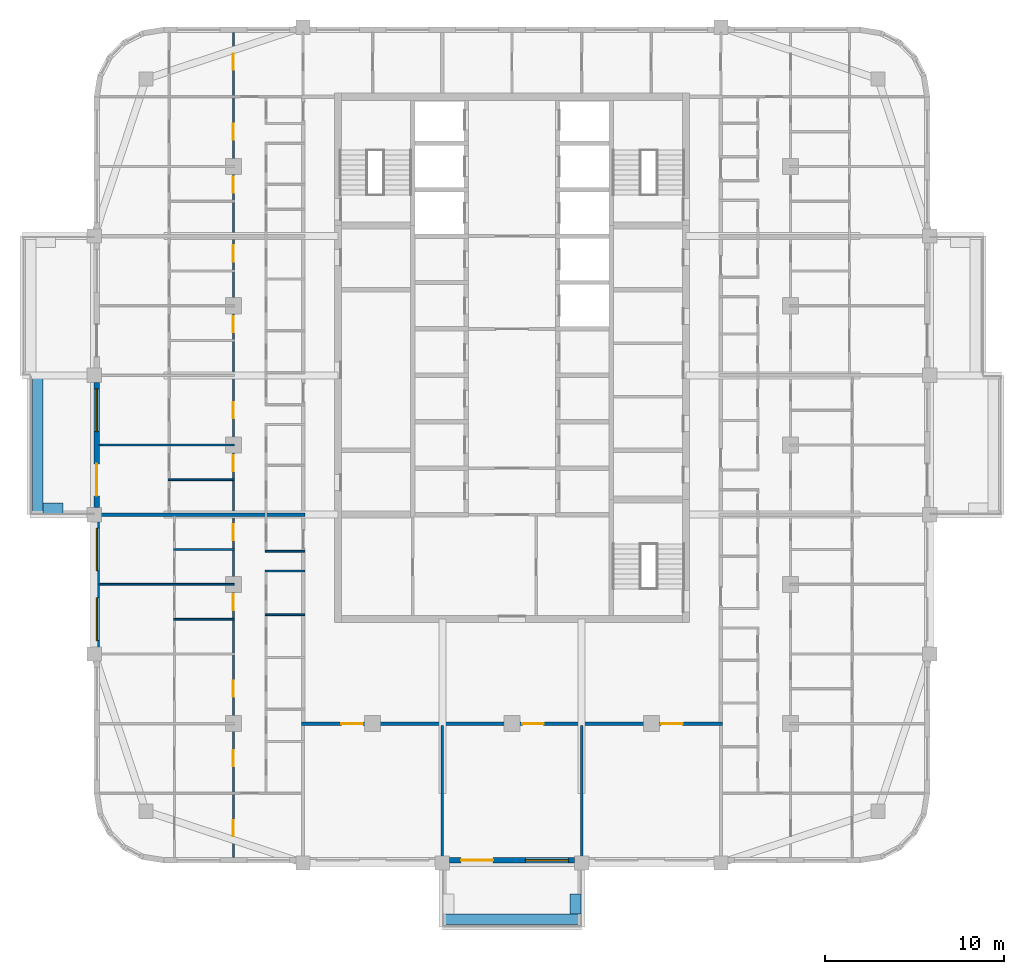
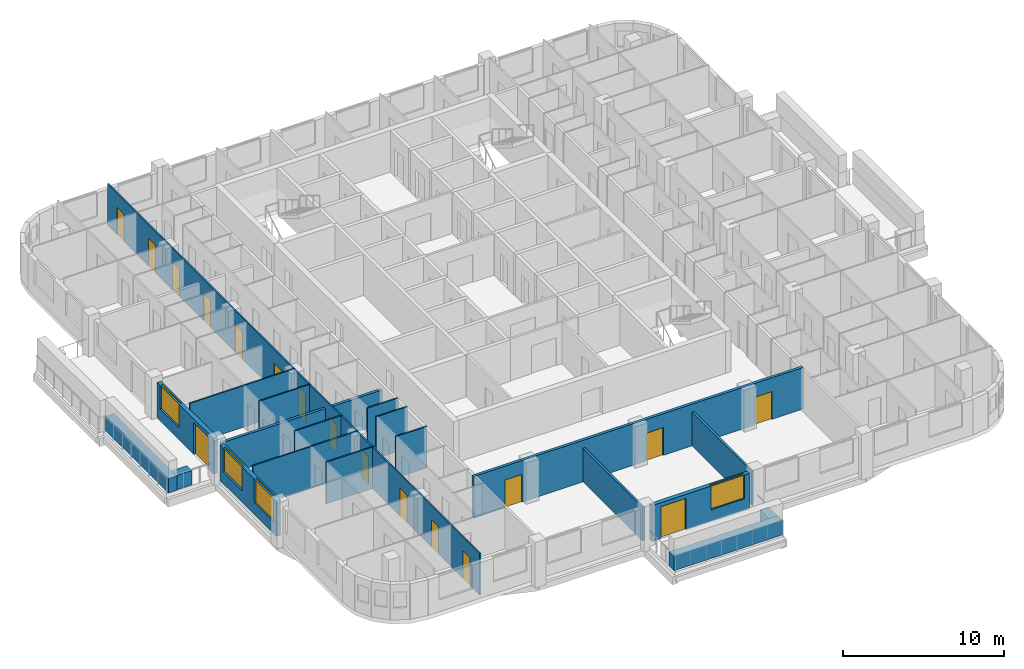
# One storey, part 3 of 15: 20 walls, 17 doors, 4 windows, 21 openings.
"""IFC4 building model written with IfcOpenShell, lengths in metres."""

from ifc_helpers import new_model, si_unit, direction, frame, frame_2d, origin, place, context, subcontext, project, spatial, rectangle, extrude, material, layer, layer_set, type_object, element, fill, save


model = new_model("IFC4")

# Units and contexts
model_context = context("Model", 3, precision=1e-05, world=origin(), true_north=direction((0.0, 1.0)))
body_context = subcontext(model_context, "Body", "Model", "MODEL_VIEW")
ifc_project = project(units=[si_unit("LENGTHUNIT", "METRE"), si_unit("AREAUNIT", "SQUARE_METRE"), si_unit("VOLUMEUNIT", "CUBIC_METRE"), si_unit("PLANEANGLEUNIT", "RADIAN"), si_unit("MASSUNIT", "GRAM", prefix="KILO")], contexts=[model_context])

# Site, building, storey
site_placement = place(None, origin())
site = spatial("IfcSite", under=ifc_project, at=site_placement, CompositionType="ELEMENT")
building_placement = place(site_placement, origin())
building = spatial("IfcBuilding", under=site, at=building_placement, Name="Ludao Terraces", CompositionType="ELEMENT")
storey_placement = place(building_placement, frame((0.0, 0.0, 197.300048828125)))
storey = spatial("IfcBuildingStorey", under=building, at=storey_placement, Name="L53", CompositionType="ELEMENT", Elevation=197.300048828125)

# Walls
ifc_material_1 = material(Name="Concrete C40", Category="concrete")
ifc_layer_1 = layer(ifc_material_1, 0.60009765625)
ifc_layer_set_1 = layer_set([ifc_layer_1], Name="ENV Planter trough 600")
wall_type_1 = type_object("IfcWallType", Name="ENV Planter trough 600", PredefinedType="USERDEFINED", material=ifc_layer_set_1)
wall_1_placement = place(storey_placement, frame((81.10009765625, 38.449951171875, 0.0), z_axis=(0.0, 0.0, 1.0), x_axis=(1.0, 0.0, 0.0)))
element("IfcWall", 1, at=wall_1_placement, inside=storey, type_object=wall_type_1, Name="PL-L53-S1", ObjectType="PLANTER", PredefinedType="USERDEFINED", context=body_context, shape_type="SweptSolid", body=[
    extrude(rectangle(XDim=7.7998046875, YDim=0.60009765625, at=frame_2d((3.89990234375, 0.0))), origin(), (0.0, 0.0, 1.0), 1.099853515625),
])
wall_2_placement = place(storey_placement, frame((88.550048828125, 38.75, 0.0), z_axis=(0.0, 0.0, 1.0), x_axis=(0.0, 1.0, 0.0)))
element("IfcWall", 2, at=wall_2_placement, inside=storey, type_object=wall_type_1, Name="PL-L53-S1-SB", ObjectType="PLANTER", PredefinedType="USERDEFINED", context=body_context, shape_type="SweptSolid", body=[
    extrude(rectangle(XDim=1.10009765625, YDim=0.60009765625, at=frame_2d((0.550048828125, 0.0))), origin(), (0.0, 0.0, 1.0), 1.099853515625),
])
wall_3_placement = place(storey_placement, frame((58.449951171875, 61.10009765625, 0.0), z_axis=(0.0, 0.0, 1.0), x_axis=(0.0, 1.0, 0.0)))
element("IfcWall", 3, at=wall_3_placement, inside=storey, type_object=wall_type_1, Name="PL-L53-W1", ObjectType="PLANTER", PredefinedType="USERDEFINED", context=body_context, shape_type="SweptSolid", body=[
    extrude(rectangle(XDim=7.7998046875, YDim=0.60009765625, at=frame_2d((3.89990234375, 0.0))), origin(), (0.0, 0.0, 1.0), 1.099853515625),
])
wall_4_placement = place(storey_placement, frame((58.75, 61.449951171875, 0.0), z_axis=(0.0, 0.0, 1.0), x_axis=(1.0, 0.0, 0.0)))
element("IfcWall", 4, at=wall_4_placement, inside=storey, type_object=wall_type_1, Name="PL-L53-W1-SA", ObjectType="PLANTER", PredefinedType="USERDEFINED", context=body_context, shape_type="SweptSolid", body=[
    extrude(rectangle(XDim=1.10009765625, YDim=0.60009765625, at=frame_2d((0.550048828125, 0.0))), origin(), (0.0, 0.0, 1.0), 1.099853515625),
])

# Wall, openings, door, window
ifc_material_2 = material(Name="Granite cladding", Category="masonry")
ifc_layer_2 = layer(ifc_material_2, 0.0400390625, Category="stone")
ifc_material_3 = material(Name="Mineral wool")
ifc_layer_3 = layer(ifc_material_3, 0.06005859375)
ifc_layer_4 = layer(ifc_material_1, 0.199951171875, Category="concrete")
ifc_layer_set_2 = layer_set([ifc_layer_2, ifc_layer_3, ifc_layer_4], Name="ENV Stone-clad wall 300")
wall_type_2 = type_object("IfcWallType", Name="ENV Stone-clad wall 300", PredefinedType="SOLIDWALL", material=ifc_layer_set_2)
wall_5_placement = place(storey_placement, frame((81.5, 41.75, 0.0), z_axis=(0.0, 0.0, 1.0), x_axis=(1.0, 0.0, 0.0)))
wall_5 = element("IfcWall", 5, at=wall_5_placement, inside=storey, type_object=wall_type_2, Name="EW-L53-S3", PredefinedType="SOLIDWALL", context=body_context, shape_type="SweptSolid", body=[
    extrude(rectangle(XDim=7.0, YDim=0.300048828125, at=frame_2d((3.5, 0.0))), origin(), (0.0, 0.0, 1.0), 2.699951171875),
])
opening_1_placement = place(wall_5_placement, frame((0.64990234375, 0.0, 0.0)))
opening_1 = element("IfcOpeningElement", 6, at=opening_1_placement, cuts=wall_5, Name="Opening BD", PredefinedType="OPENING", context=body_context, shape_type="SweptSolid", body=[
    extrude(rectangle(XDim=1.800048828125, YDim=2.39990234375, at=frame_2d((0.89990234375, 1.199951171875))), frame((0.0, 0.16015625, 0.0), z_axis=(0.0, -1.0, 0.0), x_axis=(1.0, 0.0, 0.0)), (0.0, 0.0, 1.0), 0.320068359375),
])
opening_2_placement = place(wall_5_placement, frame((4.25, 0.0, 0.89990234375)))
opening_2 = element("IfcOpeningElement", 7, at=opening_2_placement, cuts=wall_5, Name="Opening W1", PredefinedType="OPENING", context=body_context, shape_type="SweptSolid", body=[
    extrude(rectangle(XDim=2.39990234375, YDim=1.800048828125, at=frame_2d((1.199951171875, 0.89990234375))), frame((0.0, 0.16015625, 0.0), z_axis=(0.0, -1.0, 0.0), x_axis=(1.0, 0.0, 0.0)), (0.0, 0.0, 1.0), 0.320068359375),
])
ifc_material_4 = material(Name="Aluminium glazed door", Category="aluminium")
ifc_layer_5 = layer(ifc_material_4, 0.06005859375)
ifc_layer_set_3 = layer_set([ifc_layer_5], Name="ENV Balcony door BD 1800x2400")
door_type_1 = type_object("IfcDoorType", Name="ENV Balcony door BD 1800x2400", OperationType="DOUBLE_DOOR_SINGLE_SWING", PredefinedType="DOOR", material=ifc_layer_set_3)
door_1_placement = place(opening_1_placement, origin())
door_1 = element("IfcDoor", 8, at=door_1_placement, inside=storey, type_object=door_type_1, Name="BD-L53-S3-1", OperationType="DOUBLE_DOOR_SINGLE_SWING", OverallHeight=2.39990234375, OverallWidth=1.800048828125, PredefinedType="DOOR", context=body_context, shape_type="SweptSolid", body=[
    extrude(rectangle(XDim=1.800048828125, YDim=2.39990234375, at=frame_2d((0.89990234375, 1.199951171875))), frame((0.0, 0.02490234375, 0.0), z_axis=(0.0, -1.0, 0.0), x_axis=(1.0, 0.0, 0.0)), (0.0, 0.0, 1.0), 0.050048828125),
])
fill(opening_1, door_1)
ifc_material_5 = material(Name="Clear glass in aluminium frame", Category="aluminium")
ifc_layer_6 = layer(ifc_material_5, 0.06005859375)
ifc_layer_set_4 = layer_set([ifc_layer_6], Name="ENV Window W1 2400x1800")
window_type = type_object("IfcWindowType", Name="ENV Window W1 2400x1800", PartitioningType="DOUBLE_PANEL_VERTICAL", PredefinedType="WINDOW", material=ifc_layer_set_4)
window_1_placement = place(opening_2_placement, origin())
window_1 = element("IfcWindow", 9, at=window_1_placement, inside=storey, type_object=window_type, Name="W-L53-S3-2", OverallHeight=1.800048828125, OverallWidth=2.39990234375, PartitioningType="DOUBLE_PANEL_VERTICAL", PredefinedType="WINDOW", context=body_context, shape_type="SweptSolid", body=[
    extrude(rectangle(XDim=2.39990234375, YDim=1.800048828125, at=frame_2d((1.199951171875, 0.89990234375))), frame((0.0, 0.030029296875, 0.0), z_axis=(0.0, -1.0, 0.0), x_axis=(1.0, 0.0, 0.0)), (0.0, 0.0, 1.0), 0.06005859375),
])
fill(opening_2, window_1)

# Wall, openings, windows
wall_6_placement = place(storey_placement, frame((61.75, 53.699951171875, 0.0), z_axis=(0.0, 0.0, 1.0), x_axis=(0.0, 1.0, 0.0)))
wall_6 = element("IfcWall", 10, at=wall_6_placement, inside=storey, type_object=wall_type_2, Name="EW-L53-W2", PredefinedType="SOLIDWALL", context=body_context, shape_type="SweptSolid", body=[
    extrude(rectangle(XDim=7.0, YDim=0.300048828125, at=frame_2d((3.5, 0.0))), origin(), (0.0, 0.0, 1.0), 2.699951171875),
])
opening_3_placement = place(wall_6_placement, frame((0.35009765625, 0.0, 0.89990234375)))
opening_3 = element("IfcOpeningElement", 11, at=opening_3_placement, cuts=wall_6, Name="Opening W1", PredefinedType="OPENING", context=body_context, shape_type="SweptSolid", body=[
    extrude(rectangle(XDim=2.39990234375, YDim=1.800048828125, at=frame_2d((1.199951171875, 0.89990234375))), frame((0.0, 0.16015625, 0.0), z_axis=(0.0, -1.0, 0.0), x_axis=(1.0, 0.0, 0.0)), (0.0, 0.0, 1.0), 0.320068359375),
])
opening_4_placement = place(wall_6_placement, frame((4.25, 0.0, 0.89990234375)))
opening_4 = element("IfcOpeningElement", 12, at=opening_4_placement, cuts=wall_6, Name="Opening W1", PredefinedType="OPENING", context=body_context, shape_type="SweptSolid", body=[
    extrude(rectangle(XDim=2.39990234375, YDim=1.800048828125, at=frame_2d((1.199951171875, 0.89990234375))), frame((0.0, 0.16015625, 0.0), z_axis=(0.0, -1.0, 0.0), x_axis=(1.0, 0.0, 0.0)), (0.0, 0.0, 1.0), 0.320068359375),
])
window_2_placement = place(opening_3_placement, origin())
window_2 = element("IfcWindow", 13, at=window_2_placement, inside=storey, type_object=window_type, Name="W-L53-W2-1", OverallHeight=1.800048828125, OverallWidth=2.39990234375, PartitioningType="DOUBLE_PANEL_VERTICAL", PredefinedType="WINDOW", context=body_context, shape_type="SweptSolid", body=[
    extrude(rectangle(XDim=2.39990234375, YDim=1.800048828125, at=frame_2d((1.199951171875, 0.89990234375))), frame((0.0, 0.030029296875, 0.0), z_axis=(0.0, -1.0, 0.0), x_axis=(1.0, 0.0, 0.0)), (0.0, 0.0, 1.0), 0.06005859375),
])
fill(opening_3, window_2)
window_3_placement = place(opening_4_placement, origin())
window_3 = element("IfcWindow", 14, at=window_3_placement, inside=storey, type_object=window_type, Name="W-L53-W2-2", OverallHeight=1.800048828125, OverallWidth=2.39990234375, PartitioningType="DOUBLE_PANEL_VERTICAL", PredefinedType="WINDOW", context=body_context, shape_type="SweptSolid", body=[
    extrude(rectangle(XDim=2.39990234375, YDim=1.800048828125, at=frame_2d((1.199951171875, 0.89990234375))), frame((0.0, 0.030029296875, 0.0), z_axis=(0.0, -1.0, 0.0), x_axis=(1.0, 0.0, 0.0)), (0.0, 0.0, 1.0), 0.06005859375),
])
fill(opening_4, window_3)

# Wall, openings, door, window
wall_7_placement = place(storey_placement, frame((61.75, 61.5, 0.0), z_axis=(0.0, 0.0, 1.0), x_axis=(0.0, 1.0, 0.0)))
wall_7 = element("IfcWall", 15, at=wall_7_placement, inside=storey, type_object=wall_type_2, Name="EW-L53-W3", PredefinedType="SOLIDWALL", context=body_context, shape_type="SweptSolid", body=[
    extrude(rectangle(XDim=7.0, YDim=0.300048828125, at=frame_2d((3.5, 0.0))), origin(), (0.0, 0.0, 1.0), 2.699951171875),
])
opening_5_placement = place(wall_7_placement, frame((0.64990234375, 0.0, 0.0)))
opening_5 = element("IfcOpeningElement", 16, at=opening_5_placement, cuts=wall_7, Name="Opening BD", PredefinedType="OPENING", context=body_context, shape_type="SweptSolid", body=[
    extrude(rectangle(XDim=1.800048828125, YDim=2.39990234375, at=frame_2d((0.89990234375, 1.199951171875))), frame((0.0, 0.16015625, 0.0), z_axis=(0.0, -1.0, 0.0), x_axis=(1.0, 0.0, 0.0)), (0.0, 0.0, 1.0), 0.320068359375),
])
opening_6_placement = place(wall_7_placement, frame((4.25, 0.0, 0.89990234375)))
opening_6 = element("IfcOpeningElement", 17, at=opening_6_placement, cuts=wall_7, Name="Opening W1", PredefinedType="OPENING", context=body_context, shape_type="SweptSolid", body=[
    extrude(rectangle(XDim=2.39990234375, YDim=1.800048828125, at=frame_2d((1.199951171875, 0.89990234375))), frame((0.0, 0.16015625, 0.0), z_axis=(0.0, -1.0, 0.0), x_axis=(1.0, 0.0, 0.0)), (0.0, 0.0, 1.0), 0.320068359375),
])
door_2_placement = place(opening_5_placement, origin())
door_2 = element("IfcDoor", 18, at=door_2_placement, inside=storey, type_object=door_type_1, Name="BD-L53-W3-1", OperationType="DOUBLE_DOOR_SINGLE_SWING", OverallHeight=2.39990234375, OverallWidth=1.800048828125, PredefinedType="DOOR", context=body_context, shape_type="SweptSolid", body=[
    extrude(rectangle(XDim=1.800048828125, YDim=2.39990234375, at=frame_2d((0.89990234375, 1.199951171875))), frame((0.0, 0.02490234375, 0.0), z_axis=(0.0, -1.0, 0.0), x_axis=(1.0, 0.0, 0.0)), (0.0, 0.0, 1.0), 0.050048828125),
])
fill(opening_5, door_2)
window_4_placement = place(opening_6_placement, origin())
window_4 = element("IfcWindow", 19, at=window_4_placement, inside=storey, type_object=window_type, Name="W-L53-W3-2", OverallHeight=1.800048828125, OverallWidth=2.39990234375, PartitioningType="DOUBLE_PANEL_VERTICAL", PredefinedType="WINDOW", context=body_context, shape_type="SweptSolid", body=[
    extrude(rectangle(XDim=2.39990234375, YDim=1.800048828125, at=frame_2d((1.199951171875, 0.89990234375))), frame((0.0, 0.030029296875, 0.0), z_axis=(0.0, -1.0, 0.0), x_axis=(1.0, 0.0, 0.0)), (0.0, 0.0, 1.0), 0.06005859375),
])
fill(opening_6, window_4)

# Wall, openings, doors
ifc_material_6 = material(Name="Autoclaved aerated concrete block B06 A3.5", Category="concrete")
ifc_layer_7 = layer(ifc_material_6, 0.199951171875)
ifc_layer_set_5 = layer_set([ifc_layer_7], Name="INT Entrance wall 200")
wall_type_3 = type_object("IfcWallType", Name="INT Entrance wall 200", PredefinedType="PARTITIONING", material=ifc_layer_set_5)
wall_8_placement = place(storey_placement, frame((73.2001953125, 49.39990234375, 0.0), z_axis=(0.0, 0.0, 1.0), x_axis=(1.0, 0.0, 0.0)))
wall_8 = element("IfcWall", 20, at=wall_8_placement, inside=storey, type_object=wall_type_3, Name="PW-L53-PW005", PredefinedType="PARTITIONING", context=body_context, shape_type="SweptSolid", body=[
    extrude(rectangle(XDim=23.599853515625, YDim=0.199951171875, at=frame_2d((11.7998046875, 0.0))), origin(), (0.0, 0.0, 1.0), 3.14990234375),
])
opening_7_placement = place(wall_8_placement, frame((2.25, 0.0, 0.0)))
opening_7 = element("IfcOpeningElement", 21, at=opening_7_placement, cuts=wall_8, Name="Opening R19-015", PredefinedType="OPENING", context=body_context, shape_type="SweptSolid", body=[
    extrude(rectangle(XDim=1.199951171875, YDim=2.10009765625, at=frame_2d((0.60009765625, 1.050048828125))), frame((0.0, 0.10986328125, 0.0), z_axis=(0.0, -1.0, 0.0), x_axis=(1.0, 0.0, 0.0)), (0.0, 0.0, 1.0), 0.219970703125),
])
opening_8_placement = place(wall_8_placement, frame((12.375, 0.0, 0.0)))
opening_8 = element("IfcOpeningElement", 22, at=opening_8_placement, cuts=wall_8, Name="Opening R19-016", PredefinedType="OPENING", context=body_context, shape_type="SweptSolid", body=[
    extrude(rectangle(XDim=1.199951171875, YDim=2.10009765625, at=frame_2d((0.60009765625, 1.050048828125))), frame((0.0, 0.10986328125, 0.0), z_axis=(0.0, -1.0, 0.0), x_axis=(1.0, 0.0, 0.0)), (0.0, 0.0, 1.0), 0.219970703125),
])
opening_9_placement = place(wall_8_placement, frame((20.14990234375, 0.0, 0.0)))
opening_9 = element("IfcOpeningElement", 23, at=opening_9_placement, cuts=wall_8, Name="Opening R19-017", PredefinedType="OPENING", context=body_context, shape_type="SweptSolid", body=[
    extrude(rectangle(XDim=1.199951171875, YDim=2.10009765625, at=frame_2d((0.60009765625, 1.050048828125))), frame((0.0, 0.10986328125, 0.0), z_axis=(0.0, -1.0, 0.0), x_axis=(1.0, 0.0, 0.0)), (0.0, 0.0, 1.0), 0.219970703125),
])
ifc_material_7 = material(Name="Timber door leaf", Category="wood")
door_type_2 = type_object("IfcDoorType", Name="INT Double door 1200", OperationType="DOUBLE_DOOR_SINGLE_SWING", PredefinedType="DOOR", material=ifc_material_7)
door_3_placement = place(opening_7_placement, origin())
door_3 = element("IfcDoor", 24, at=door_3_placement, inside=storey, type_object=door_type_2, Name="DOOR 015", OperationType="DOUBLE_DOOR_SINGLE_SWING", OverallHeight=2.10009765625, OverallWidth=1.199951171875, PredefinedType="DOOR", context=body_context, shape_type="SweptSolid", body=[
    extrude(rectangle(XDim=1.199951171875, YDim=2.10009765625, at=frame_2d((0.60009765625, 1.050048828125))), frame((0.0, 0.02490234375, 0.0), z_axis=(0.0, -1.0, 0.0), x_axis=(1.0, 0.0, 0.0)), (0.0, 0.0, 1.0), 0.050048828125),
])
fill(opening_7, door_3)
door_4_placement = place(opening_8_placement, origin())
door_4 = element("IfcDoor", 25, at=door_4_placement, inside=storey, type_object=door_type_2, Name="DOOR 016", OperationType="DOUBLE_DOOR_SINGLE_SWING", OverallHeight=2.10009765625, OverallWidth=1.199951171875, PredefinedType="DOOR", context=body_context, shape_type="SweptSolid", body=[
    extrude(rectangle(XDim=1.199951171875, YDim=2.10009765625, at=frame_2d((0.60009765625, 1.050048828125))), frame((0.0, 0.02490234375, 0.0), z_axis=(0.0, -1.0, 0.0), x_axis=(1.0, 0.0, 0.0)), (0.0, 0.0, 1.0), 0.050048828125),
])
fill(opening_8, door_4)
door_5_placement = place(opening_9_placement, origin())
door_5 = element("IfcDoor", 26, at=door_5_placement, inside=storey, type_object=door_type_2, Name="DOOR 017", OperationType="DOUBLE_DOOR_SINGLE_SWING", OverallHeight=2.10009765625, OverallWidth=1.199951171875, PredefinedType="DOOR", context=body_context, shape_type="SweptSolid", body=[
    extrude(rectangle(XDim=1.199951171875, YDim=2.10009765625, at=frame_2d((0.60009765625, 1.050048828125))), frame((0.0, 0.02490234375, 0.0), z_axis=(0.0, -1.0, 0.0), x_axis=(1.0, 0.0, 0.0)), (0.0, 0.0, 1.0), 0.050048828125),
])
fill(opening_9, door_5)

# Walls
ifc_material_8 = material(Name="Gypsum plasterboard", Category="gypsum")
ifc_layer_8 = layer(ifc_material_8, 0.012451171875, Category="gypsum")
ifc_layer_9 = layer(ifc_material_3, 0.06005859375, Name="insulation")
ifc_material_9 = material(Name="Steel Q235", Category="steel")
ifc_layer_10 = layer(ifc_material_9, 0.014892578125, Name="stud")
ifc_layer_11 = layer(ifc_material_8, 0.012451171875, Category="gypsum")
ifc_layer_set_6 = layer_set([ifc_layer_8, ifc_layer_9, ifc_layer_10, ifc_layer_11], Name="INT Partition 100")
wall_type_4 = type_object("IfcWallType", Name="INT Partition 100", PredefinedType="PARTITIONING", material=ifc_layer_set_6)
wall_9_placement = place(storey_placement, frame((66.050048828125, 55.25, 0.0), z_axis=(0.0, 0.0, 1.0), x_axis=(1.0, 0.0, 0.0)))
element("IfcWall", 27, at=wall_9_placement, inside=storey, type_object=wall_type_4, Name="PW-L53-PW015", PredefinedType="PARTITIONING", context=body_context, shape_type="SweptSolid", body=[
    extrude(rectangle(XDim=3.400146484375, YDim=0.10009765625, at=frame_2d((1.7001953125, 0.0))), origin(), (0.0, 0.0, 1.0), 3.14990234375),
])
wall_10_placement = place(storey_placement, frame((71.18017578125, 55.5, 0.0), z_axis=(0.0, 0.0, 1.0), x_axis=(1.0, 0.0, 0.0)))
element("IfcWall", 28, at=wall_10_placement, inside=storey, type_object=wall_type_4, Name="PW-L53-PW016", PredefinedType="PARTITIONING", context=body_context, shape_type="SweptSolid", body=[
    extrude(rectangle(XDim=2.219970703125, YDim=0.10009765625, at=frame_2d((1.10986328125, 0.0))), origin(), (0.0, 0.0, 1.0), 3.14990234375),
])
wall_11_placement = place(storey_placement, frame((61.900146484375, 57.199951171875, 0.0), z_axis=(0.0, 0.0, 1.0), x_axis=(1.0, 0.0, 0.0)))
element("IfcWall", 29, at=wall_11_placement, inside=storey, type_object=wall_type_4, Name="PW-L53-PW018", PredefinedType="PARTITIONING", context=body_context, shape_type="SweptSolid", body=[
    extrude(rectangle(XDim=7.550048828125, YDim=0.10009765625, at=frame_2d((3.77490234375, 0.0))), origin(), (0.0, 0.0, 1.0), 3.14990234375),
])
for number, where, z_axis, x_axis, name in (
    (30, (71.18017578125, 57.949951171875, 0.0), (0.0, 0.0, 1.0), (1.0, 0.0, 0.0), "PW-L53-PW020"),
    (31, (71.18017578125, 59.050048828125, 0.0), (0.0, 0.0, 1.0), (1.0, 0.0, 0.0), "PW-L53-PW022"),
):
    element("IfcWall", number, at=place(storey_placement, frame(where, z_axis=z_axis, x_axis=x_axis)), inside=storey, type_object=wall_type_4, Name=name, PredefinedType="PARTITIONING", context=body_context, shape_type="SweptSolid", body=[
        extrude(rectangle(XDim=2.219970703125, YDim=0.10009765625, at=frame_2d((1.10986328125, 0.0))), origin(), (0.0, 0.0, 1.0), 3.14990234375),
    ])
wall_12_placement = place(storey_placement, frame((66.050048828125, 59.14990234375, 0.0), z_axis=(0.0, 0.0, 1.0), x_axis=(1.0, 0.0, 0.0)))
element("IfcWall", 32, at=wall_12_placement, inside=storey, type_object=wall_type_4, Name="PW-L53-PW023", PredefinedType="PARTITIONING", context=body_context, shape_type="SweptSolid", body=[
    extrude(rectangle(XDim=3.400146484375, YDim=0.10009765625, at=frame_2d((1.7001953125, 0.0))), origin(), (0.0, 0.0, 1.0), 3.14990234375),
])
wall_13_placement = place(storey_placement, frame((65.75, 63.050048828125, 0.0), z_axis=(0.0, 0.0, 1.0), x_axis=(1.0, 0.0, 0.0)))
element("IfcWall", 33, at=wall_13_placement, inside=storey, type_object=wall_type_4, Name="PW-L53-PW029", PredefinedType="PARTITIONING", context=body_context, shape_type="SweptSolid", body=[
    extrude(rectangle(XDim=3.7001953125, YDim=0.10009765625, at=frame_2d((1.85009765625, 0.0))), origin(), (0.0, 0.0, 1.0), 3.14990234375),
])
wall_14_placement = place(storey_placement, frame((61.900146484375, 65.0, 0.0), z_axis=(0.0, 0.0, 1.0), x_axis=(1.0, 0.0, 0.0)))
element("IfcWall", 34, at=wall_14_placement, inside=storey, type_object=wall_type_4, Name="PW-L53-PW033", PredefinedType="PARTITIONING", context=body_context, shape_type="SweptSolid", body=[
    extrude(rectangle(XDim=7.550048828125, YDim=0.10009765625, at=frame_2d((3.77490234375, 0.0))), origin(), (0.0, 0.0, 1.0), 3.14990234375),
])

# Wall, openings, doors
wall_15_placement = place(storey_placement, frame((69.39990234375, 41.900146484375, 0.0), z_axis=(0.0, 0.0, 1.0), x_axis=(0.0, 1.0, 0.0)))
wall_15 = element("IfcWall", 35, at=wall_15_placement, inside=storey, type_object=wall_type_4, Name="PW-L53-PW077", PredefinedType="PARTITIONING", context=body_context, shape_type="SweptSolid", body=[
    extrude(rectangle(XDim=46.199951171875, YDim=0.10009765625, at=frame_2d((23.10009765625, 0.0))), origin(), (0.0, 0.0, 1.0), 3.14990234375),
])
opening_10_placement = place(wall_15_placement, frame((1.199951171875, 0.0, 0.0)))
opening_10 = element("IfcOpeningElement", 36, at=opening_10_placement, cuts=wall_15, Name="Opening R19-002", PredefinedType="OPENING", context=body_context, shape_type="SweptSolid", body=[
    extrude(rectangle(XDim=0.89990234375, YDim=2.10009765625, at=frame_2d((0.449951171875, 1.050048828125))), frame((0.0, 0.06005859375, 0.0), z_axis=(0.0, -1.0, 0.0), x_axis=(1.0, 0.0, 0.0)), (0.0, 0.0, 1.0), 0.1201171875),
])
opening_11_placement = place(wall_15_placement, frame((5.10009765625, 0.0, 0.0)))
opening_11 = element("IfcOpeningElement", 37, at=opening_11_placement, cuts=wall_15, Name="Opening R19-010", PredefinedType="OPENING", context=body_context, shape_type="SweptSolid", body=[
    extrude(rectangle(XDim=0.89990234375, YDim=2.10009765625, at=frame_2d((0.449951171875, 1.050048828125))), frame((0.0, 0.06005859375, 0.0), z_axis=(0.0, -1.0, 0.0), x_axis=(1.0, 0.0, 0.0)), (0.0, 0.0, 1.0), 0.1201171875),
])
opening_12_placement = place(wall_15_placement, frame((9.0, 0.0, 0.0)))
opening_12 = element("IfcOpeningElement", 38, at=opening_12_placement, cuts=wall_15, Name="Opening R19-020", PredefinedType="OPENING", context=body_context, shape_type="SweptSolid", body=[
    extrude(rectangle(XDim=0.89990234375, YDim=2.10009765625, at=frame_2d((0.449951171875, 1.050048828125))), frame((0.0, 0.06005859375, 0.0), z_axis=(0.0, -1.0, 0.0), x_axis=(1.0, 0.0, 0.0)), (0.0, 0.0, 1.0), 0.1201171875),
])
opening_13_placement = place(wall_15_placement, frame((13.85009765625, 0.0, 0.0)))
opening_13 = element("IfcOpeningElement", 39, at=opening_13_placement, cuts=wall_15, Name="Opening R19-031", PredefinedType="OPENING", context=body_context, shape_type="SweptSolid", body=[
    extrude(rectangle(XDim=0.89990234375, YDim=2.10009765625, at=frame_2d((0.449951171875, 1.050048828125))), frame((0.0, 0.06005859375, 0.0), z_axis=(0.0, -1.0, 0.0), x_axis=(1.0, 0.0, 0.0)), (0.0, 0.0, 1.0), 0.1201171875),
])
opening_14_placement = place(wall_15_placement, frame((17.77490234375, 0.0, 0.0)))
opening_14 = element("IfcOpeningElement", 40, at=opening_14_placement, cuts=wall_15, Name="Opening R19-045", PredefinedType="OPENING", context=body_context, shape_type="SweptSolid", body=[
    extrude(rectangle(XDim=0.89990234375, YDim=2.10009765625, at=frame_2d((0.449951171875, 1.050048828125))), frame((0.0, 0.06005859375, 0.0), z_axis=(0.0, -1.0, 0.0), x_axis=(1.0, 0.0, 0.0)), (0.0, 0.0, 1.0), 0.1201171875),
])
opening_15_placement = place(wall_15_placement, frame((21.625, 0.0, 0.0)))
opening_15 = element("IfcOpeningElement", 41, at=opening_15_placement, cuts=wall_15, Name="Opening R19-059", PredefinedType="OPENING", context=body_context, shape_type="SweptSolid", body=[
    extrude(rectangle(XDim=0.89990234375, YDim=2.10009765625, at=frame_2d((0.449951171875, 1.050048828125))), frame((0.0, 0.06005859375, 0.0), z_axis=(0.0, -1.0, 0.0), x_axis=(1.0, 0.0, 0.0)), (0.0, 0.0, 1.0), 0.1201171875),
])
opening_16_placement = place(wall_15_placement, frame((24.60009765625, 0.0, 0.0)))
opening_16 = element("IfcOpeningElement", 42, at=opening_16_placement, cuts=wall_15, Name="Opening R19-069", PredefinedType="OPENING", context=body_context, shape_type="SweptSolid", body=[
    extrude(rectangle(XDim=0.89990234375, YDim=2.10009765625, at=frame_2d((0.449951171875, 1.050048828125))), frame((0.0, 0.06005859375, 0.0), z_axis=(0.0, -1.0, 0.0), x_axis=(1.0, 0.0, 0.0)), (0.0, 0.0, 1.0), 0.1201171875),
])
opening_17_placement = place(wall_15_placement, frame((29.425048828125, 0.0, 0.0)))
opening_17 = element("IfcOpeningElement", 43, at=opening_17_placement, cuts=wall_15, Name="Opening R19-087", PredefinedType="OPENING", context=body_context, shape_type="SweptSolid", body=[
    extrude(rectangle(XDim=0.89990234375, YDim=2.10009765625, at=frame_2d((0.449951171875, 1.050048828125))), frame((0.0, 0.06005859375, 0.0), z_axis=(0.0, -1.0, 0.0), x_axis=(1.0, 0.0, 0.0)), (0.0, 0.0, 1.0), 0.1201171875),
])
opening_18_placement = place(wall_15_placement, frame((33.375, 0.0, 0.0)))
opening_18 = element("IfcOpeningElement", 44, at=opening_18_placement, cuts=wall_15, Name="Opening R19-104", PredefinedType="OPENING", context=body_context, shape_type="SweptSolid", body=[
    extrude(rectangle(XDim=0.89990234375, YDim=2.10009765625, at=frame_2d((0.449951171875, 1.050048828125))), frame((0.0, 0.06005859375, 0.0), z_axis=(0.0, -1.0, 0.0), x_axis=(1.0, 0.0, 0.0)), (0.0, 0.0, 1.0), 0.1201171875),
])
opening_19_placement = place(wall_15_placement, frame((37.22509765625, 0.0, 0.0)))
opening_19 = element("IfcOpeningElement", 45, at=opening_19_placement, cuts=wall_15, Name="Opening R19-117", PredefinedType="OPENING", context=body_context, shape_type="SweptSolid", body=[
    extrude(rectangle(XDim=0.89990234375, YDim=2.10009765625, at=frame_2d((0.449951171875, 1.050048828125))), frame((0.0, 0.06005859375, 0.0), z_axis=(0.0, -1.0, 0.0), x_axis=(1.0, 0.0, 0.0)), (0.0, 0.0, 1.0), 0.1201171875),
])
opening_20_placement = place(wall_15_placement, frame((40.199951171875, 0.0, 0.0)))
opening_20 = element("IfcOpeningElement", 46, at=opening_20_placement, cuts=wall_15, Name="Opening R19-129", PredefinedType="OPENING", context=body_context, shape_type="SweptSolid", body=[
    extrude(rectangle(XDim=0.89990234375, YDim=2.10009765625, at=frame_2d((0.449951171875, 1.050048828125))), frame((0.0, 0.06005859375, 0.0), z_axis=(0.0, -1.0, 0.0), x_axis=(1.0, 0.0, 0.0)), (0.0, 0.0, 1.0), 0.1201171875),
])
opening_21_placement = place(wall_15_placement, frame((44.10009765625, 0.0, 0.0)))
opening_21 = element("IfcOpeningElement", 47, at=opening_21_placement, cuts=wall_15, Name="Opening R19-140", PredefinedType="OPENING", context=body_context, shape_type="SweptSolid", body=[
    extrude(rectangle(XDim=0.89990234375, YDim=2.10009765625, at=frame_2d((0.449951171875, 1.050048828125))), frame((0.0, 0.06005859375, 0.0), z_axis=(0.0, -1.0, 0.0), x_axis=(1.0, 0.0, 0.0)), (0.0, 0.0, 1.0), 0.1201171875),
])
door_type_3 = type_object("IfcDoorType", Name="INT Room door 900", OperationType="SINGLE_SWING_LEFT", PredefinedType="DOOR", material=ifc_material_7)
door_6_placement = place(opening_10_placement, origin())
door_6 = element("IfcDoor", 48, at=door_6_placement, inside=storey, type_object=door_type_3, Name="DOOR 002", OperationType="SINGLE_SWING_LEFT", OverallHeight=2.10009765625, OverallWidth=0.89990234375, PredefinedType="DOOR", context=body_context, shape_type="SweptSolid", body=[
    extrude(rectangle(XDim=0.89990234375, YDim=2.10009765625, at=frame_2d((0.449951171875, 1.050048828125))), frame((0.0, 0.02490234375, 0.0), z_axis=(0.0, -1.0, 0.0), x_axis=(1.0, 0.0, 0.0)), (0.0, 0.0, 1.0), 0.050048828125),
])
fill(opening_10, door_6)
door_7_placement = place(opening_11_placement, origin())
door_7 = element("IfcDoor", 49, at=door_7_placement, inside=storey, type_object=door_type_3, Name="DOOR 010", OperationType="SINGLE_SWING_RIGHT", OverallHeight=2.10009765625, OverallWidth=0.89990234375, PredefinedType="DOOR", context=body_context, shape_type="SweptSolid", body=[
    extrude(rectangle(XDim=0.89990234375, YDim=2.10009765625, at=frame_2d((0.449951171875, 1.050048828125))), frame((0.0, 0.02490234375, 0.0), z_axis=(0.0, -1.0, 0.0), x_axis=(1.0, 0.0, 0.0)), (0.0, 0.0, 1.0), 0.050048828125),
])
fill(opening_11, door_7)
door_8_placement = place(opening_12_placement, origin())
door_8 = element("IfcDoor", 50, at=door_8_placement, inside=storey, type_object=door_type_3, Name="DOOR 020", OperationType="SINGLE_SWING_LEFT", OverallHeight=2.10009765625, OverallWidth=0.89990234375, PredefinedType="DOOR", context=body_context, shape_type="SweptSolid", body=[
    extrude(rectangle(XDim=0.89990234375, YDim=2.10009765625, at=frame_2d((0.449951171875, 1.050048828125))), frame((0.0, 0.02490234375, 0.0), z_axis=(0.0, -1.0, 0.0), x_axis=(1.0, 0.0, 0.0)), (0.0, 0.0, 1.0), 0.050048828125),
])
fill(opening_12, door_8)
door_9_placement = place(opening_13_placement, origin())
door_9 = element("IfcDoor", 51, at=door_9_placement, inside=storey, type_object=door_type_3, Name="DOOR 031", OperationType="SINGLE_SWING_LEFT", OverallHeight=2.10009765625, OverallWidth=0.89990234375, PredefinedType="DOOR", context=body_context, shape_type="SweptSolid", body=[
    extrude(rectangle(XDim=0.89990234375, YDim=2.10009765625, at=frame_2d((0.449951171875, 1.050048828125))), frame((0.0, 0.02490234375, 0.0), z_axis=(0.0, -1.0, 0.0), x_axis=(1.0, 0.0, 0.0)), (0.0, 0.0, 1.0), 0.050048828125),
])
fill(opening_13, door_9)
door_10_placement = place(opening_14_placement, origin())
door_10 = element("IfcDoor", 52, at=door_10_placement, inside=storey, type_object=door_type_3, Name="DOOR 045", OperationType="SINGLE_SWING_RIGHT", OverallHeight=2.10009765625, OverallWidth=0.89990234375, PredefinedType="DOOR", context=body_context, shape_type="SweptSolid", body=[
    extrude(rectangle(XDim=0.89990234375, YDim=2.10009765625, at=frame_2d((0.449951171875, 1.050048828125))), frame((0.0, 0.02490234375, 0.0), z_axis=(0.0, -1.0, 0.0), x_axis=(1.0, 0.0, 0.0)), (0.0, 0.0, 1.0), 0.050048828125),
])
fill(opening_14, door_10)
door_11_placement = place(opening_15_placement, origin())
door_11 = element("IfcDoor", 53, at=door_11_placement, inside=storey, type_object=door_type_3, Name="DOOR 059", OperationType="SINGLE_SWING_LEFT", OverallHeight=2.10009765625, OverallWidth=0.89990234375, PredefinedType="DOOR", context=body_context, shape_type="SweptSolid", body=[
    extrude(rectangle(XDim=0.89990234375, YDim=2.10009765625, at=frame_2d((0.449951171875, 1.050048828125))), frame((0.0, 0.02490234375, 0.0), z_axis=(0.0, -1.0, 0.0), x_axis=(1.0, 0.0, 0.0)), (0.0, 0.0, 1.0), 0.050048828125),
])
fill(opening_15, door_11)
door_12_placement = place(opening_16_placement, origin())
door_12 = element("IfcDoor", 54, at=door_12_placement, inside=storey, type_object=door_type_3, Name="DOOR 069", OperationType="SINGLE_SWING_LEFT", OverallHeight=2.10009765625, OverallWidth=0.89990234375, PredefinedType="DOOR", context=body_context, shape_type="SweptSolid", body=[
    extrude(rectangle(XDim=0.89990234375, YDim=2.10009765625, at=frame_2d((0.449951171875, 1.050048828125))), frame((0.0, 0.02490234375, 0.0), z_axis=(0.0, -1.0, 0.0), x_axis=(1.0, 0.0, 0.0)), (0.0, 0.0, 1.0), 0.050048828125),
])
fill(opening_16, door_12)
door_13_placement = place(opening_17_placement, origin())
door_13 = element("IfcDoor", 55, at=door_13_placement, inside=storey, type_object=door_type_3, Name="DOOR 087", OperationType="SINGLE_SWING_LEFT", OverallHeight=2.10009765625, OverallWidth=0.89990234375, PredefinedType="DOOR", context=body_context, shape_type="SweptSolid", body=[
    extrude(rectangle(XDim=0.89990234375, YDim=2.10009765625, at=frame_2d((0.449951171875, 1.050048828125))), frame((0.0, 0.02490234375, 0.0), z_axis=(0.0, -1.0, 0.0), x_axis=(1.0, 0.0, 0.0)), (0.0, 0.0, 1.0), 0.050048828125),
])
fill(opening_17, door_13)
door_14_placement = place(opening_18_placement, origin())
door_14 = element("IfcDoor", 56, at=door_14_placement, inside=storey, type_object=door_type_3, Name="DOOR 104", OperationType="SINGLE_SWING_RIGHT", OverallHeight=2.10009765625, OverallWidth=0.89990234375, PredefinedType="DOOR", context=body_context, shape_type="SweptSolid", body=[
    extrude(rectangle(XDim=0.89990234375, YDim=2.10009765625, at=frame_2d((0.449951171875, 1.050048828125))), frame((0.0, 0.02490234375, 0.0), z_axis=(0.0, -1.0, 0.0), x_axis=(1.0, 0.0, 0.0)), (0.0, 0.0, 1.0), 0.050048828125),
])
fill(opening_18, door_14)
door_15_placement = place(opening_19_placement, origin())
door_15 = element("IfcDoor", 57, at=door_15_placement, inside=storey, type_object=door_type_3, Name="DOOR 117", OperationType="SINGLE_SWING_LEFT", OverallHeight=2.10009765625, OverallWidth=0.89990234375, PredefinedType="DOOR", context=body_context, shape_type="SweptSolid", body=[
    extrude(rectangle(XDim=0.89990234375, YDim=2.10009765625, at=frame_2d((0.449951171875, 1.050048828125))), frame((0.0, 0.02490234375, 0.0), z_axis=(0.0, -1.0, 0.0), x_axis=(1.0, 0.0, 0.0)), (0.0, 0.0, 1.0), 0.050048828125),
])
fill(opening_19, door_15)
door_16_placement = place(opening_20_placement, origin())
door_16 = element("IfcDoor", 58, at=door_16_placement, inside=storey, type_object=door_type_3, Name="DOOR 129", OperationType="SINGLE_SWING_RIGHT", OverallHeight=2.10009765625, OverallWidth=0.89990234375, PredefinedType="DOOR", context=body_context, shape_type="SweptSolid", body=[
    extrude(rectangle(XDim=0.89990234375, YDim=2.10009765625, at=frame_2d((0.449951171875, 1.050048828125))), frame((0.0, 0.02490234375, 0.0), z_axis=(0.0, -1.0, 0.0), x_axis=(1.0, 0.0, 0.0)), (0.0, 0.0, 1.0), 0.050048828125),
])
fill(opening_20, door_16)
door_17_placement = place(opening_21_placement, origin())
door_17 = element("IfcDoor", 59, at=door_17_placement, inside=storey, type_object=door_type_3, Name="DOOR 140", OperationType="SINGLE_SWING_RIGHT", OverallHeight=2.10009765625, OverallWidth=0.89990234375, PredefinedType="DOOR", context=body_context, shape_type="SweptSolid", body=[
    extrude(rectangle(XDim=0.89990234375, YDim=2.10009765625, at=frame_2d((0.449951171875, 1.050048828125))), frame((0.0, 0.02490234375, 0.0), z_axis=(0.0, -1.0, 0.0), x_axis=(1.0, 0.0, 0.0)), (0.0, 0.0, 1.0), 0.050048828125),
])
fill(opening_21, door_17)

# Walls
ifc_layer_12 = layer(ifc_material_6, 0.14990234375)
ifc_layer_set_7 = layer_set([ifc_layer_12], Name="INT Party wall 150")
wall_type_5 = type_object("IfcWallType", Name="INT Party wall 150", PredefinedType="PARTITIONING", material=ifc_layer_set_7)
for number, where, z_axis, x_axis, name in (
    (60, (81.10009765625, 41.900146484375, 0.0), (0.0, 0.0, 1.0), (0.0, 1.0, 0.0), "PW-L53-PW087"),
    (61, (88.89990234375, 41.900146484375, 0.0), (0.0, 0.0, 1.0), (0.0, 1.0, 0.0), "PW-L53-PW091"),
):
    element("IfcWall", number, at=place(storey_placement, frame(where, z_axis=z_axis, x_axis=x_axis)), inside=storey, type_object=wall_type_5, Name=name, PredefinedType="PARTITIONING", context=body_context, shape_type="SweptSolid", body=[
        extrude(rectangle(XDim=7.39990234375, YDim=0.14990234375, at=frame_2d((3.699951171875, 0.0))), origin(), (0.0, 0.0, 1.0), 2.5498046875),
    ])
ifc_layer_13 = layer(ifc_material_6, 0.199951171875)
ifc_layer_set_8 = layer_set([ifc_layer_13], Name="INT Party wall 200")
wall_type_6 = type_object("IfcWallType", Name="INT Party wall 200", PredefinedType="PARTITIONING", material=ifc_layer_set_8)
wall_16_placement = place(storey_placement, frame((61.900146484375, 61.10009765625, 0.0), z_axis=(0.0, 0.0, 1.0), x_axis=(1.0, 0.0, 0.0)))
element("IfcWall", 62, at=wall_16_placement, inside=storey, type_object=wall_type_6, Name="PW-L53-PW025", PredefinedType="PARTITIONING", context=body_context, shape_type="SweptSolid", body=[
    extrude(rectangle(XDim=11.5, YDim=0.199951171875, at=frame_2d((5.75, 0.0))), origin(), (0.0, 0.0, 1.0), 2.5498046875),
])

save(model, "model.ifc")
